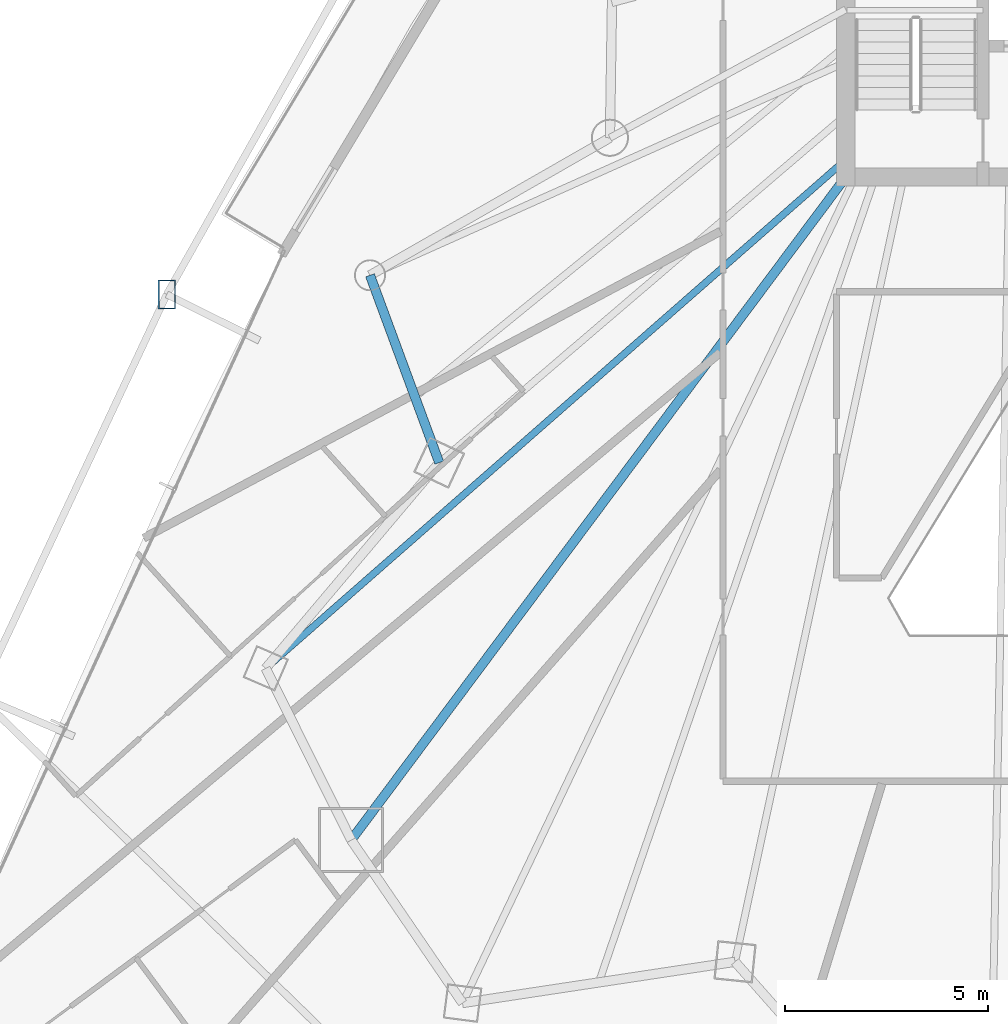
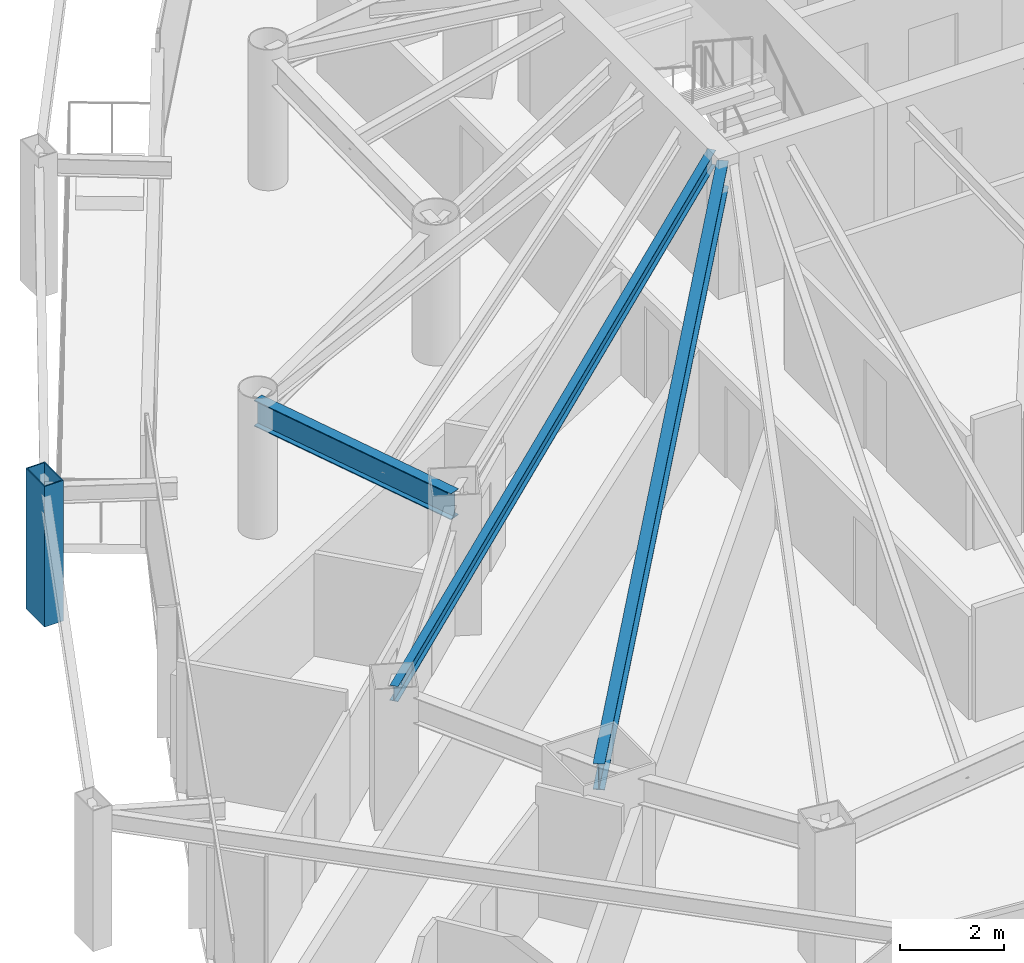
# One storey, part 10 of 38: 3 beams, 1 member.
"""IFC4 building model written with IfcOpenShell, lengths in metres."""

from ifc_helpers import new_model, si_unit, direction, frame, origin, origin_2d, place, context, subcontext, project, spatial, hollow_rectangle, i_section, extrude, material, material_profile, profile_set, type_object, element, save


model = new_model("IFC4")

# Units and contexts
model_context = context("Model", 3, precision=1e-05, world=origin(), true_north=direction((0.0, 1.0)))
body_context = subcontext(model_context, "Body", "Model", "MODEL_VIEW")
ifc_project = project(units=[si_unit("LENGTHUNIT", "METRE"), si_unit("AREAUNIT", "SQUARE_METRE"), si_unit("VOLUMEUNIT", "CUBIC_METRE"), si_unit("PLANEANGLEUNIT", "RADIAN"), si_unit("MASSUNIT", "GRAM", prefix="KILO")], contexts=[model_context])

# Site, building, storey
site_placement = place(None, origin())
site = spatial("IfcSite", under=ifc_project, at=site_placement, CompositionType="ELEMENT")
building_placement = place(site_placement, origin())
building = spatial("IfcBuilding", under=site, at=building_placement, Name="Orvanel Arch Residences", CompositionType="ELEMENT")
storey_placement = place(building_placement, frame((0.0, 0.0, 43.39990234375)))
storey = spatial("IfcBuildingStorey", under=building, at=storey_placement, Name="L11", CompositionType="ELEMENT", Elevation=43.39990234375)

# Beams
ifc_material_1 = material(Name="Structural steel AS/NZS 3679.1 Grade 300 (300 MPa)", Category="steel")
ifc_material_profile_1 = material_profile(ifc_material_1, i_section(OverallWidth=0.22900390625, OverallDepth=0.612060546875, WebThickness=0.011962890625, FlangeThickness=0.01953125, at=origin_2d()), Name="610UB125")
ifc_profile_set_1 = profile_set([ifc_material_profile_1], Name="Structural steel AS/NZS 3679.1 Grade 300 (300 MPa)")
beam_type_1 = type_object("IfcBeamType", Name="BG-610UB", PredefinedType="BEAM", material=ifc_profile_set_1)
beam_1_placement = place(storey_placement, frame((26.375, 26.675048828125, 2.754150390625), z_axis=(-0.597893733742, -0.801575375839, 0.0), x_axis=(0.801575375839, -0.597893733742, 0.0)))
element("IfcBeam", 1, at=beam_1_placement, inside=storey, type_object=beam_type_1, Name="L11 South-West Radial Girder", PredefinedType="BEAM", context=body_context, shape_type="SweptSolid", body=[
    extrude(i_section(OverallWidth=0.22900390625, OverallDepth=0.612060546875, WebThickness=0.011962890625, FlangeThickness=0.01953125, at=origin_2d()), origin(), (0.0, 0.0, 1.0), 20.36474609375),
])
ifc_material_profile_2 = material_profile(ifc_material_1, i_section(OverallWidth=0.1708984375, OverallDepth=0.35595703125, WebThickness=0.00732421875, FlangeThickness=0.011474609375, at=origin_2d()), Name="360UB50.7")
ifc_profile_set_2 = profile_set([ifc_material_profile_2], Name="Structural steel AS/NZS 3679.1 Grade 300 (300 MPa)")
beam_type_2 = type_object("IfcBeamType", Name="BJ-360UB", PredefinedType="JOIST", material=ifc_profile_set_2)
beam_2_placement = place(storey_placement, frame((26.375, 27.10009765625, 2.882080078125), z_axis=(-0.751924114057, -0.659249669472, 0.0), x_axis=(0.659249669472, -0.751924114057, 0.0)))
element("IfcBeam", 2, at=beam_2_placement, inside=storey, type_object=beam_type_2, Name="L11 MW Wing Floor Joist", PredefinedType="JOIST", context=body_context, shape_type="SweptSolid", body=[
    extrude(i_section(OverallWidth=0.1708984375, OverallDepth=0.35595703125, WebThickness=0.00732421875, FlangeThickness=0.011474609375, at=origin_2d()), origin(), (0.0, 0.0, 1.0), 18.9912109375),
])

# Member
ifc_material_2 = material(Name="Structural steel AS/NZS 3678 Grade 350", Category="steel")
ifc_material_profile_3 = material_profile(ifc_material_2, hollow_rectangle(XDim=0.419921875, YDim=0.719970703125, WallThickness=0.02490234375, at=origin_2d()), Name="RHS720x420x25")
ifc_profile_set_3 = profile_set([ifc_material_profile_3], Name="Structural steel AS/NZS 3678 Grade 350")
member_type = type_object("IfcMemberType", Name="CH-720RHS-EXT", PredefinedType="CHORD", material=ifc_profile_set_3)
member_placement = place(storey_placement, frame((9.658935546875, 23.784912109375, 0.0), z_axis=(0.0, 0.0, 1.0), x_axis=(1.0, 0.0, 0.0)))
element("IfcMember", 3, at=member_placement, inside=storey, type_object=member_type, Name="L11 Outer Perimeter Frame Post 03", PredefinedType="CHORD", context=body_context, shape_type="SweptSolid", body=[
    extrude(hollow_rectangle(XDim=0.419921875, YDim=0.719970703125, WallThickness=0.02490234375, at=origin_2d()), origin(), (0.0, 0.0, 1.0), 3.300048828125),
])

# Beam
ifc_material_profile_4 = material_profile(ifc_material_1, i_section(OverallWidth=0.22900390625, OverallDepth=0.612060546875, WebThickness=0.011962890625, FlangeThickness=0.01953125, at=origin_2d()), Name="610UB125")
ifc_profile_set_4 = profile_set([ifc_material_profile_4], Name="Structural steel AS/NZS 3679.1 Grade 300 (300 MPa)")
beam_type_3 = type_object("IfcBeamType", Name="SP-610UB", PredefinedType="SPANDREL", material=ifc_profile_set_4)
beam_3_placement = place(storey_placement, frame((14.662109375, 24.256103515625, 2.754150390625), z_axis=(0.346588434017, -0.938017301229, 0.0), x_axis=(0.938017301229, 0.346588434017, 0.0)))
element("IfcBeam", 4, at=beam_3_placement, inside=storey, type_object=beam_type_3, Name="L11 Perimeter Spandrel Beam 22", PredefinedType="SPANDREL", context=body_context, shape_type="SweptSolid", body=[
    extrude(i_section(OverallWidth=0.22900390625, OverallDepth=0.612060546875, WebThickness=0.011962890625, FlangeThickness=0.01953125, at=origin_2d()), origin(), (0.0, 0.0, 1.0), 4.9189453125),
])

save(model, "model.ifc")
